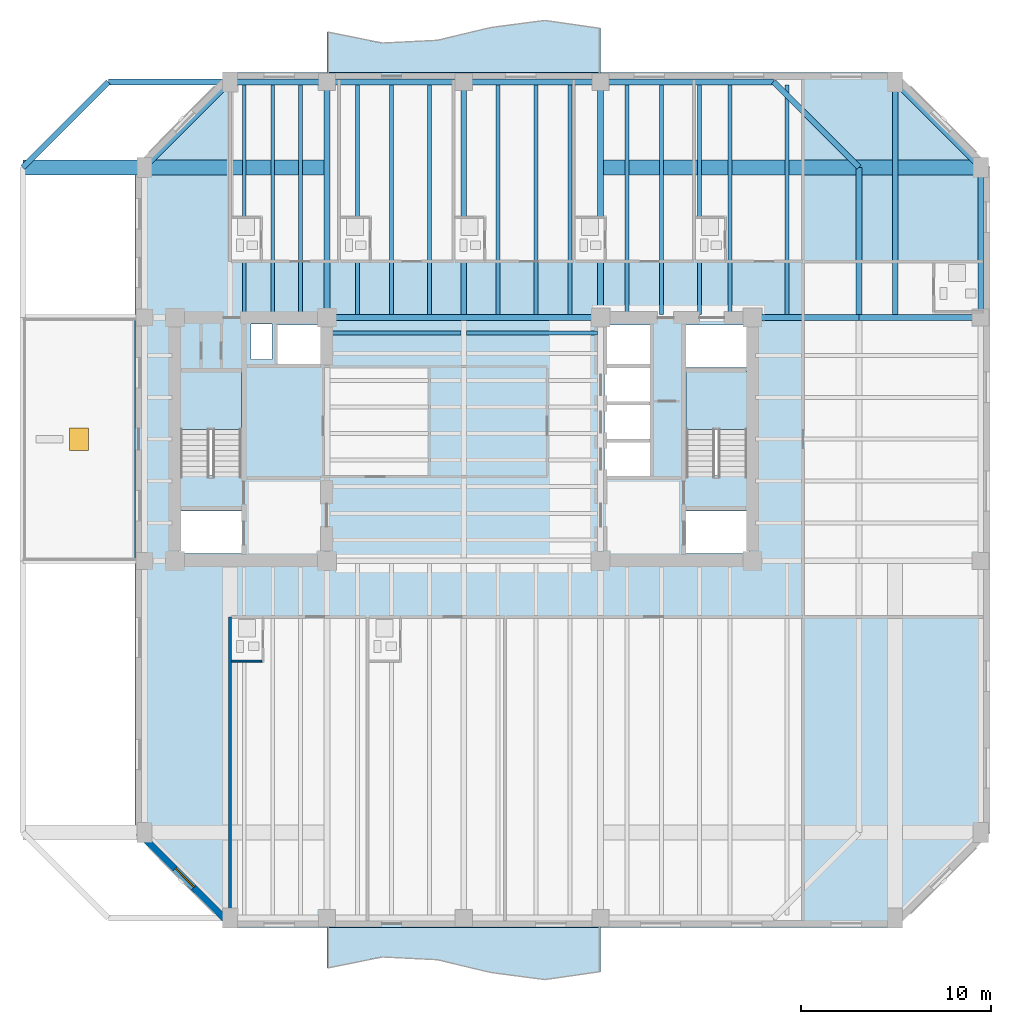
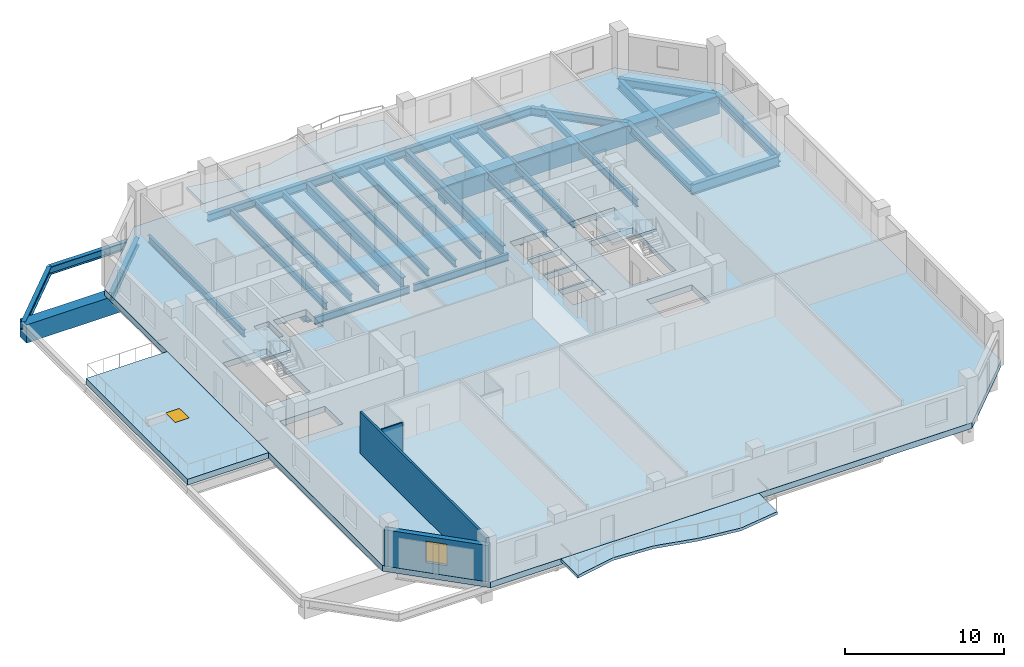
# One storey, part 2 of 11: 35 beams, 6 slabs, 3 walls, 1 door, 1 window, 2 openings, 2 elements without a shape of their own.
"""IFC4 building model written with IfcOpenShell, lengths in metres."""

from ifc_helpers import new_model, si_unit, direction, frame, frame_2d, origin, origin_2d, place, context, subcontext, project, spatial, polyline, rectangle, i_section, outline, extrude, material, layer, layer_set, material_profile, profile_set, type_object, element, fill, aggregate, save


model = new_model("IFC4")

# Units and contexts
model_context = context("Model", 3, precision=1e-05, world=origin(), true_north=direction((0.0, 1.0)))
body_context = subcontext(model_context, "Body", "Model", "MODEL_VIEW")
ifc_project = project(units=[si_unit("LENGTHUNIT", "METRE"), si_unit("AREAUNIT", "SQUARE_METRE"), si_unit("VOLUMEUNIT", "CUBIC_METRE"), si_unit("PLANEANGLEUNIT", "RADIAN"), si_unit("MASSUNIT", "GRAM", prefix="KILO")], contexts=[model_context])

# Site, building, storey
site_placement = place(None, origin())
site = spatial("IfcSite", under=ifc_project, at=site_placement, CompositionType="ELEMENT")
building_placement = place(site_placement, origin())
building = spatial("IfcBuilding", under=site, at=building_placement, Name="Kranthara Brick Stack", CompositionType="ELEMENT")
storey_placement = place(building_placement, frame((0.0, 0.0, 141.300048828125)))
storey = spatial("IfcBuildingStorey", under=building, at=storey_placement, Name="L35", CompositionType="ELEMENT", Elevation=141.300048828125)

# Beams
ifc_material_1 = material(Name="Steel S355", Category="steel")
ifc_material_profile_1 = material_profile(ifc_material_1, i_section(OverallWidth=0.2099609375, OverallDepth=0.550048828125, WebThickness=0.010986328125, FlangeThickness=0.01708984375, at=origin_2d()), Name="IPE 550")
ifc_profile_set_1 = profile_set([ifc_material_profile_1], Name="Steel S355")
beam_type_1 = type_object("IfcBeamType", Name="BM-JST-IPE550", PredefinedType="JOIST", material=ifc_profile_set_1)
for number, where, z_axis, x_axis, name in (
    (1, (20.949951171875, 32.800048828125, -0.72509765625), (1.0, 0.0, 0.0), (0.0, 1.0, 0.0), "L35 Central Floor Joist 070"),
    (2, (28.14990234375, 32.800048828125, -0.72509765625), (1.0, 0.0, 0.0), (0.0, 1.0, 0.0), "L35 Central Floor Joist 071"),
):
    element("IfcBeam", number, at=place(storey_placement, frame(where, z_axis=z_axis, x_axis=x_axis)), inside=storey, type_object=beam_type_1, Name=name, PredefinedType="JOIST", context=body_context, shape_type="SweptSolid", body=[
        extrude(i_section(OverallWidth=0.2099609375, OverallDepth=0.550048828125, WebThickness=0.010986328125, FlangeThickness=0.01708984375, at=origin_2d()), origin(), (0.0, 0.0, 1.0), 6.900146484375),
    ])
for number, where, z_axis, x_axis, name in (
    (3, (16.449951171875, 33.75, -0.72509765625), (0.0, 1.0, 0.0), (-1.0, 0.0, 0.0), "L35 North Wing Floor Joist 073"),
    (4, (17.949951171875, 33.75, -0.72509765625), (0.0, 1.0, 0.0), (-1.0, 0.0, 0.0), "L35 North Wing Floor Joist 075"),
    (5, (19.39990234375, 33.75, -0.72509765625), (0.0, 1.0, 0.0), (-1.0, 0.0, 0.0), "L35 North Wing Floor Joist 077"),
    (6, (22.39990234375, 33.75, -0.72509765625), (0.0, 1.0, 0.0), (-1.0, 0.0, 0.0), "L35 North Wing Floor Joist 079"),
    (7, (24.199951171875, 33.75, -0.72509765625), (0.0, 1.0, 0.0), (-1.0, 0.0, 0.0), "L35 North Wing Floor Joist 081"),
    (8, (26.199951171875, 33.75, -0.72509765625), (0.0, 1.0, 0.0), (-1.0, 0.0, 0.0), "L35 North Wing Floor Joist 083"),
    (9, (29.800048828125, 33.75, -0.72509765625), (0.0, 1.0, 0.0), (-1.0, 0.0, 0.0), "L35 North Wing Floor Joist 085"),
    (10, (31.800048828125, 33.75, -0.72509765625), (0.0, 1.0, 0.0), (-1.0, 0.0, 0.0), "L35 North Wing Floor Joist 087"),
    (11, (33.60009765625, 33.75, -0.72509765625), (0.0, 1.0, 0.0), (-1.0, 0.0, 0.0), "L35 North Wing Floor Joist 089"),
    (12, (36.60009765625, 33.75, -0.72509765625), (0.0, 1.0, 0.0), (-1.0, 0.0, 0.0), "L35 North Wing Floor Joist 091"),
    (13, (38.39990234375, 33.75, -0.72509765625), (0.0, 1.0, 0.0), (-1.0, 0.0, 0.0), "L35 North Wing Floor Joist 093"),
    (14, (40.39990234375, 33.75, -0.72509765625), (0.0, 1.0, 0.0), (-1.0, 0.0, 0.0), "L35 North Wing Floor Joist 095"),
    (15, (42.0, 33.75, -0.72509765625), (0.0, 1.0, 0.0), (-1.0, 0.0, 0.0), "L35 North Wing Floor Joist 097"),
    (16, (45.0, 33.75, -0.72509765625), (0.0, 1.0, 0.0), (-1.0, 0.0, 0.0), "L35 North Wing Floor Joist 099"),
):
    element("IfcBeam", number, at=place(storey_placement, frame(where, z_axis=z_axis, x_axis=x_axis)), inside=storey, type_object=beam_type_1, Name=name, PredefinedType="JOIST", context=body_context, shape_type="SweptSolid", body=[
        extrude(i_section(OverallWidth=0.2099609375, OverallDepth=0.550048828125, WebThickness=0.010986328125, FlangeThickness=0.01708984375, at=origin_2d()), origin(), (0.0, 0.0, 1.0), 12.10009765625),
    ])
ifc_material_2 = material(Name="Steel S355", Category="steel")
ifc_material_profile_2 = material_profile(ifc_material_2, i_section(OverallWidth=0.300048828125, OverallDepth=0.60009765625, WebThickness=0.015380859375, FlangeThickness=0.030029296875, at=origin_2d()), Name="HEB 600")
ifc_profile_set_2 = profile_set([ifc_material_profile_2], Name="Steel S355")
beam_type_2 = type_object("IfcBeamType", Name="BM-STL-HEB600", PredefinedType="BEAM", material=ifc_profile_set_2)
beam_1_placement = place(storey_placement, frame((9.300048828125, 46.0, -0.75), z_axis=(1.0, 0.0, 0.0), x_axis=(0.0, 1.0, 0.0)))
element("IfcBeam", 17, at=beam_1_placement, inside=storey, type_object=beam_type_2, Name="L35 Perimeter Spandrel Beam 009", PredefinedType="BEAM", context=body_context, shape_type="SweptSolid", body=[
    extrude(i_section(OverallWidth=0.300048828125, OverallDepth=0.60009765625, WebThickness=0.015380859375, FlangeThickness=0.030029296875, at=origin_2d()), origin(), (0.0, 0.0, 1.0), 11.5),
])
for number, where, z_axis, x_axis, name in (
    (18, (20.800048828125, 46.0, -0.75), (1.0, 0.0, 0.0), (0.0, 1.0, 0.0), "L35 Perimeter Spandrel Beam 010"),
    (19, (28.0, 46.0, -0.75), (1.0, 0.0, 0.0), (0.0, 1.0, 0.0), "L35 Perimeter Spandrel Beam 011"),
):
    element("IfcBeam", number, at=place(storey_placement, frame(where, z_axis=z_axis, x_axis=x_axis)), inside=storey, type_object=beam_type_2, Name=name, PredefinedType="BEAM", context=body_context, shape_type="SweptSolid", body=[
        extrude(i_section(OverallWidth=0.300048828125, OverallDepth=0.60009765625, WebThickness=0.015380859375, FlangeThickness=0.030029296875, at=origin_2d()), origin(), (0.0, 0.0, 1.0), 7.199951171875),
    ])
beam_2_placement = place(storey_placement, frame((35.199951171875, 46.0, -0.75), z_axis=(1.0, 0.0, 0.0), x_axis=(0.0, 1.0, 0.0)))
element("IfcBeam", 20, at=beam_2_placement, inside=storey, type_object=beam_type_2, Name="L35 Perimeter Spandrel Beam 012", PredefinedType="BEAM", context=body_context, shape_type="SweptSolid", body=[
    extrude(i_section(OverallWidth=0.300048828125, OverallDepth=0.60009765625, WebThickness=0.015380859375, FlangeThickness=0.030029296875, at=origin_2d()), origin(), (0.0, 0.0, 1.0), 9.10009765625),
])
beam_3_placement = place(storey_placement, frame((48.800048828125, 33.60009765625, -0.75), z_axis=(0.0, 1.0, 0.0), x_axis=(-1.0, 0.0, 0.0)))
element("IfcBeam", 21, at=beam_3_placement, inside=storey, type_object=beam_type_2, Name="L35 Perimeter Spandrel Beam 018", PredefinedType="BEAM", context=body_context, shape_type="SweptSolid", body=[
    extrude(i_section(OverallWidth=0.300048828125, OverallDepth=0.60009765625, WebThickness=0.015380859375, FlangeThickness=0.030029296875, at=origin_2d()), origin(), (0.0, 0.0, 1.0), 7.89990234375),
])
for number, where, z_axis, x_axis, name in (
    (22, (9.300048828125, 46.0, -0.75), (-0.707106781187, -0.707106781187, 0.0), (0.707106781187, -0.707106781187, 0.0), "L35 Chamfer Corner Spandrel 021"),
    (23, (44.300048828125, 46.0, -0.75), (0.707106781187, -0.707106781187, 0.0), (0.707106781187, 0.707106781187, 0.0), "L35 Chamfer Corner Spandrel 022"),
):
    element("IfcBeam", number, at=place(storey_placement, frame(where, z_axis=z_axis, x_axis=x_axis)), inside=storey, type_object=beam_type_2, Name=name, PredefinedType="BEAM", context=body_context, shape_type="SweptSolid", body=[
        extrude(i_section(OverallWidth=0.300048828125, OverallDepth=0.60009765625, WebThickness=0.015380859375, FlangeThickness=0.030029296875, at=origin_2d()), origin(), (0.0, 0.0, 1.0), 6.364013671875),
    ])
beam_4_placement = place(storey_placement, frame((55.199951171875, 33.60009765625, -0.75), z_axis=(0.0, 1.0, 0.0), x_axis=(-1.0, 0.0, 0.0)))
element("IfcBeam", 24, at=beam_4_placement, inside=storey, type_object=beam_type_2, Name="L35 Perimeter Spandrel Beam 028", PredefinedType="BEAM", context=body_context, shape_type="SweptSolid", body=[
    extrude(i_section(OverallWidth=0.300048828125, OverallDepth=0.60009765625, WebThickness=0.015380859375, FlangeThickness=0.030029296875, at=origin_2d()), origin(), (0.0, 0.0, 1.0), 7.89990234375),
])
for number, where, z_axis, x_axis, name in (
    (25, (15.699951171875, 46.0, -0.75), (-0.707106781187, -0.707106781187, 0.0), (0.707106781187, -0.707106781187, 0.0), "L35 Chamfer Corner Spandrel 031"),
    (26, (50.699951171875, 46.0, -0.75), (0.707106781187, -0.707106781187, 0.0), (0.707106781187, 0.707106781187, 0.0), "L35 Chamfer Corner Spandrel 032"),
):
    element("IfcBeam", number, at=place(storey_placement, frame(where, z_axis=z_axis, x_axis=x_axis)), inside=storey, type_object=beam_type_2, Name=name, PredefinedType="BEAM", context=body_context, shape_type="SweptSolid", body=[
        extrude(i_section(OverallWidth=0.300048828125, OverallDepth=0.60009765625, WebThickness=0.015380859375, FlangeThickness=0.030029296875, at=origin_2d()), origin(), (0.0, 0.0, 1.0), 6.364013671875),
    ])
ifc_material_3 = material(Name="Steel S355", Category="steel")
ifc_material_profile_3 = material_profile(ifc_material_3, i_section(OverallWidth=0.300048828125, OverallDepth=0.800048828125, WebThickness=0.017578125, FlangeThickness=0.032958984375, at=origin_2d()), Name="HEB 800")
ifc_profile_set_3 = profile_set([ifc_material_profile_3], Name="Steel S355")
beam_type_3 = type_object("IfcBeamType", Name="BM-TR-HEB800", PredefinedType="BEAM", material=ifc_profile_set_3)
beam_5_placement = place(storey_placement, frame((20.800048828125, 33.60009765625, -0.85009765625), z_axis=(1.0, 0.0, 0.0), x_axis=(0.0, 1.0, 0.0)))
element("IfcBeam", 27, at=beam_5_placement, inside=storey, type_object=beam_type_3, Name="L35 Core Coupling Beam 002", PredefinedType="BEAM", context=body_context, shape_type="SweptSolid", body=[
    extrude(i_section(OverallWidth=0.300048828125, OverallDepth=0.800048828125, WebThickness=0.017578125, FlangeThickness=0.032958984375, at=origin_2d()), origin(), (0.0, 0.0, 1.0), 14.39990234375),
])
beam_6_placement = place(storey_placement, frame((20.800048828125, 33.60009765625, -0.85009765625), z_axis=(0.0, 1.0, 0.0), x_axis=(-1.0, 0.0, 0.0)))
element("IfcBeam", 28, at=beam_6_placement, inside=storey, type_object=beam_type_3, Name="L35 Primary Grid Girder 034", PredefinedType="BEAM", context=body_context, shape_type="SweptSolid", body=[
    extrude(i_section(OverallWidth=0.300048828125, OverallDepth=0.800048828125, WebThickness=0.017578125, FlangeThickness=0.032958984375, at=origin_2d()), origin(), (0.0, 0.0, 1.0), 12.39990234375),
])
beam_7_placement = place(storey_placement, frame((28.0, 33.75, -0.85009765625), z_axis=(0.0, 1.0, 0.0), x_axis=(-1.0, 0.0, 0.0)))
element("IfcBeam", 29, at=beam_7_placement, inside=storey, type_object=beam_type_3, Name="L35 Primary Grid Girder 037", PredefinedType="BEAM", context=body_context, shape_type="SweptSolid", body=[
    extrude(i_section(OverallWidth=0.300048828125, OverallDepth=0.800048828125, WebThickness=0.017578125, FlangeThickness=0.032958984375, at=origin_2d()), origin(), (0.0, 0.0, 1.0), 12.25),
])
beam_8_placement = place(storey_placement, frame((35.199951171875, 33.60009765625, -0.85009765625), z_axis=(0.0, 1.0, 0.0), x_axis=(-1.0, 0.0, 0.0)))
element("IfcBeam", 30, at=beam_8_placement, inside=storey, type_object=beam_type_3, Name="L35 Primary Grid Girder 039", PredefinedType="BEAM", context=body_context, shape_type="SweptSolid", body=[
    extrude(i_section(OverallWidth=0.300048828125, OverallDepth=0.800048828125, WebThickness=0.017578125, FlangeThickness=0.032958984375, at=origin_2d()), origin(), (0.0, 0.0, 1.0), 12.39990234375),
])
beam_9_placement = place(storey_placement, frame((43.199951171875, 33.60009765625, -0.85009765625), z_axis=(1.0, 0.0, 0.0), x_axis=(0.0, 1.0, 0.0)))
element("IfcBeam", 31, at=beam_9_placement, inside=storey, type_object=beam_type_3, Name="L35 Primary Grid Girder 044", PredefinedType="BEAM", context=body_context, shape_type="SweptSolid", body=[
    extrude(i_section(OverallWidth=0.300048828125, OverallDepth=0.800048828125, WebThickness=0.017578125, FlangeThickness=0.032958984375, at=origin_2d()), origin(), (0.0, 0.0, 1.0), 5.60009765625),
])
beam_10_placement = place(storey_placement, frame((48.800048828125, 33.60009765625, -0.85009765625), z_axis=(1.0, 0.0, 0.0), x_axis=(0.0, 1.0, 0.0)))
element("IfcBeam", 32, at=beam_10_placement, inside=storey, type_object=beam_type_3, Name="L35 Primary Grid Girder 045", PredefinedType="BEAM", context=body_context, shape_type="SweptSolid", body=[
    extrude(i_section(OverallWidth=0.300048828125, OverallDepth=0.800048828125, WebThickness=0.017578125, FlangeThickness=0.032958984375, at=origin_2d()), origin(), (0.0, 0.0, 1.0), 6.39990234375),
])
beam_11_placement = place(storey_placement, frame((50.699951171875, 46.0, -0.85009765625), z_axis=(0.0, -1.0, 0.0), x_axis=(1.0, 0.0, 0.0)))
element("IfcBeam", 33, at=beam_11_placement, inside=storey, type_object=beam_type_3, Name="L35 Transfer Tie Girder 049", PredefinedType="BEAM", context=body_context, shape_type="SweptSolid", body=[
    extrude(i_section(OverallWidth=0.300048828125, OverallDepth=0.800048828125, WebThickness=0.017578125, FlangeThickness=0.032958984375, at=origin_2d()), origin(), (0.0, 0.0, 1.0), 12.39990234375),
])
ifc_material_4 = material(Name="Post-tensioned concrete C50/60", Category="concrete")
ifc_material_profile_4 = material_profile(ifc_material_4, rectangle(XDim=0.800048828125, YDim=1.39990234375, at=origin_2d()), Name="PT 800x1400")
ifc_profile_set_4 = profile_set([ifc_material_profile_4], Name="Post-tensioned concrete C50/60")
beam_type_4 = type_object("IfcBeamType", Name="BM-TR-PT1400", PredefinedType="T_BEAM", material=ifc_profile_set_4)
beam_12_placement = place(storey_placement, frame((4.800048828125, 41.5, -1.150146484375), z_axis=(1.0, 0.0, 0.0), x_axis=(0.0, 1.0, 0.0)))
element("IfcBeam", 34, at=beam_12_placement, inside=storey, type_object=beam_type_4, Name="L35 Transfer Tie Girder 052", PredefinedType="T_BEAM", context=body_context, shape_type="SweptSolid", body=[
    extrude(rectangle(XDim=0.800048828125, YDim=1.39990234375, at=origin_2d()), origin(), (0.0, 0.0, 1.0), 16.0),
])
beam_13_placement = place(storey_placement, frame((55.199951171875, 41.5, -1.150146484375), z_axis=(-1.0, 0.0, 0.0), x_axis=(0.0, -1.0, 0.0)))
element("IfcBeam", 35, at=beam_13_placement, inside=storey, type_object=beam_type_4, Name="L35 Transfer Tie Girder 053", PredefinedType="T_BEAM", context=body_context, shape_type="SweptSolid", body=[
    extrude(rectangle(XDim=0.800048828125, YDim=1.39990234375, at=origin_2d()), origin(), (0.0, 0.0, 1.0), 20.0),
])

# Slabs
ifc_material_5 = material(Name="Concrete C45/55", Category="concrete")
ifc_layer_1 = layer(ifc_material_5, 0.219970703125)
ifc_layer_set_1 = layer_set([ifc_layer_1], Name="Concrete C45/55")
slab_type_1 = type_object("IfcSlabType", Name="SLB-BALC-220", PredefinedType="FLOOR", material=ifc_layer_set_1)
slab_1_placement = place(storey_placement, frame((0.0, 0.0, -0.219970703125)))
element("IfcSlab", 36, at=slab_1_placement, inside=storey, type_object=slab_type_1, Name="L35 South Rippling Balcony Slab", PredefinedType="FLOOR", context=body_context, shape_type="SweptSolid", body=[
    extrude(outline(polyline([(20.800048828125, 1.5), (35.199951171875, 1.5), (35.199951171875, -0.827880859375), (32.320068359375, -1.249267578125), (29.43994140625, -0.885498046875), (26.56005859375, -0.194091796875), (23.679931640625, -0.044677734375), (20.800048828125, -0.625), (20.800048828125, 1.5)])), origin(), (0.0, 0.0, 1.0), 0.219970703125),
])
slab_2_placement = place(storey_placement, frame((0.0, 0.0, -0.219970703125)))
element("IfcSlab", 37, at=slab_2_placement, inside=storey, type_object=slab_type_1, Name="L35 North Rippling Balcony Slab", PredefinedType="FLOOR", context=body_context, shape_type="SweptSolid", body=[
    extrude(outline(polyline([(35.199951171875, 46.5), (20.800048828125, 46.5), (20.800048828125, 48.625), (23.679931640625, 48.044677734375), (26.56005859375, 48.194091796875), (29.43994140625, 48.885498046875), (32.320068359375, 49.249267578125), (35.199951171875, 48.827880859375), (35.199951171875, 46.5)])), origin(), (0.0, 0.0, 1.0), 0.219970703125),
])

# Stair, slab
ifc_material_6 = material(Name="Concrete C45/55", Category="concrete")
stair_type = type_object("IfcStairType", Name="ST-CORE-20R", PredefinedType="HALF_TURN_STAIR", material=ifc_material_6)
stair_1_placement = place(storey_placement, origin())
stair_1 = element("IfcStair", 38, at=stair_1_placement, inside=storey, type_object=stair_type, Name="L35 West Core Protected Exit Stair ST01", PredefinedType="HALF_TURN_STAIR")
ifc_material_7 = material(Name="Concrete C45/55", Category="concrete")
ifc_layer_2 = layer(ifc_material_7, 0.199951171875)
ifc_layer_set_2 = layer_set([ifc_layer_2], Name="Concrete C45/55")
slab_type_2 = type_object("IfcSlabType", Name="SLB-LANDING-200", PredefinedType="LANDING", material=ifc_layer_set_2)
slab_3_placement = place(storey_placement, frame((0.0, 0.0, 1.550048828125)))
slab_3 = element("IfcSlab", 39, at=slab_3_placement, type_object=slab_type_2, Name="ST01 landing 1", PredefinedType="LANDING", context=body_context, shape_type="SweptSolid", body=[
    extrude(outline(polyline([(16.300048828125, 27.719970703125), (16.300048828125, 30.75), (13.10009765625, 30.75), (13.10009765625, 27.719970703125), (16.300048828125, 27.719970703125)])), origin(), (0.0, 0.0, 1.0), 0.199951171875),
])
aggregate(stair_1, [slab_3])

stair_2_placement = place(storey_placement, origin())
stair_2 = element("IfcStair", 40, at=stair_2_placement, inside=storey, type_object=stair_type, Name="L35 East Core Protected Exit Stair ST02", PredefinedType="HALF_TURN_STAIR")
slab_4_placement = place(storey_placement, frame((0.0, 0.0, 1.550048828125)))
slab_4 = element("IfcSlab", 41, at=slab_4_placement, type_object=slab_type_2, Name="ST02 landing 1", PredefinedType="LANDING", context=body_context, shape_type="SweptSolid", body=[
    extrude(outline(polyline([(42.89990234375, 27.719970703125), (42.89990234375, 30.75), (39.699951171875, 30.75), (39.699951171875, 27.719970703125), (42.89990234375, 27.719970703125)])), origin(), (0.0, 0.0, 1.0), 0.199951171875),
])
aggregate(stair_2, [slab_4])

# Slab, opening, door
ifc_material_8 = material(Name="Concrete C45/55", Category="concrete")
ifc_layer_3 = layer(ifc_material_8, 0.449951171875)
ifc_layer_set_3 = layer_set([ifc_layer_3], Name="Concrete C45/55")
slab_type_3 = type_object("IfcSlabType", Name="SLB-TERR-450", PredefinedType="ROOF", material=ifc_layer_set_3)
slab_5_placement = place(storey_placement, frame((0.0, 0.0, -0.449951171875)))
slab_5 = element("IfcSlab", 42, at=slab_5_placement, inside=storey, type_object=slab_type_3, Name="L35 West Planted Sky Garden", PredefinedType="ROOF", context=body_context, shape_type="SweptSolid", body=[
    extrude(outline(polyline([(4.800048828125, 20.800048828125), (10.699951171875, 20.800048828125), (10.699951171875, 33.60009765625), (4.800048828125, 33.60009765625), (4.800048828125, 20.800048828125)]), holes=[polyline([(7.25, 26.60009765625), (8.25, 26.60009765625), (8.25, 27.800048828125), (7.25, 27.800048828125), (7.25, 26.60009765625)])]), origin(), (0.0, 0.0, 1.0), 0.449951171875),
])
opening_1_placement = place(slab_5_placement, frame((7.75, 27.199951171875, 0.0)))
opening_1 = element("IfcOpeningElement", 43, at=opening_1_placement, cuts=slab_5, Name="Opening RH01", PredefinedType="OPENING", context=body_context, shape_type="SweptSolid", body=[
    extrude(rectangle(XDim=1.0, YDim=1.199951171875, at=origin_2d()), origin(), (0.0, 0.0, 1.0), 0.449951171875),
])
ifc_material_9 = material(Name="Powder-coated galvanized steel sheet", Category="steel")
door_type = type_object("IfcDoorType", Name="DR-HATCH-1000", OperationType="SINGLE_SWING_LEFT", PredefinedType="TRAPDOOR", material=ifc_material_9)
door_placement = place(opening_1_placement, frame((0.0, 0.0, 0.39990234375)))
door = element("IfcDoor", 44, at=door_placement, inside=storey, type_object=door_type, Name="L35 Terrace Roof Maintenance Access Hatch", OperationType="SINGLE_SWING_LEFT", OverallHeight=1.199951171875, OverallWidth=1.0, PredefinedType="TRAPDOOR", context=body_context, shape_type="SweptSolid", body=[
    extrude(rectangle(XDim=1.0, YDim=1.199951171875, at=origin_2d()), origin(), (0.0, 0.0, 1.0), 0.050048828125),
])
fill(opening_1, door)

# Slab
ifc_material_10 = material(Name="Post-tensioned concrete C50/60", Category="concrete")
ifc_layer_4 = layer(ifc_material_10, 0.449951171875)
ifc_layer_set_4 = layer_set([ifc_layer_4], Name="Post-tensioned concrete C50/60")
slab_type_4 = type_object("IfcSlabType", Name="SLB-TRANS-450", PredefinedType="FLOOR", material=ifc_layer_set_4)
slab_6_placement = place(storey_placement, frame((0.0, 0.0, -0.449951171875)))
element("IfcSlab", 45, at=slab_6_placement, inside=storey, type_object=slab_type_4, Name="L35 Structural Floor Plate", PredefinedType="FLOOR", context=body_context, shape_type="SweptSolid", body=[
    extrude(outline(polyline([(15.699951171875, 1.5), (50.699951171875, 1.5), (55.699951171875, 6.5), (55.699951171875, 41.5), (50.699951171875, 46.5), (15.699951171875, 46.5), (10.699951171875, 41.5), (10.699951171875, 6.5), (15.699951171875, 1.5)]), holes=[polyline([(13.10009765625, 25.280029296875), (16.300048828125, 25.280029296875), (16.300048828125, 30.75), (13.10009765625, 30.75), (13.10009765625, 25.280029296875)]), polyline([(39.699951171875, 25.280029296875), (42.89990234375, 25.280029296875), (42.89990234375, 30.75), (39.699951171875, 30.75), (39.699951171875, 25.280029296875)]), polyline([(13.0, 21.179931640625), (16.320068359375, 21.179931640625), (16.320068359375, 23.419921875), (13.0, 23.419921875), (13.0, 21.179931640625)]), polyline([(39.679931640625, 21.179931640625), (43.0, 21.179931640625), (43.0, 23.419921875), (39.679931640625, 23.419921875), (39.679931640625, 21.179931640625)]), polyline([(39.679931640625, 30.97998046875), (43.0, 30.97998046875), (43.0, 33.219970703125), (39.679931640625, 33.219970703125), (39.679931640625, 30.97998046875)]), polyline([(35.39990234375, 25.25), (37.800048828125, 25.25), (37.800048828125, 27.050048828125), (35.39990234375, 27.050048828125), (35.39990234375, 25.25)]), polyline([(35.39990234375, 27.199951171875), (37.800048828125, 27.199951171875), (37.800048828125, 29.0), (35.39990234375, 29.0), (35.39990234375, 27.199951171875)]), polyline([(35.39990234375, 29.14990234375), (37.800048828125, 29.14990234375), (37.800048828125, 30.949951171875), (35.39990234375, 30.949951171875), (35.39990234375, 29.14990234375)]), polyline([(18.199951171875, 31.14990234375), (20.60009765625, 31.14990234375), (20.60009765625, 33.219970703125), (18.199951171875, 33.219970703125), (18.199951171875, 31.14990234375)]), polyline([(35.39990234375, 31.14990234375), (37.800048828125, 31.14990234375), (37.800048828125, 33.219970703125), (35.39990234375, 33.219970703125), (35.39990234375, 31.14990234375)]), polyline([(16.800048828125, 31.39990234375), (17.89990234375, 31.39990234375), (17.89990234375, 33.25), (16.800048828125, 33.25), (16.800048828125, 31.39990234375)])]), origin(), (0.0, 0.0, 1.0), 0.449951171875),
])

# Wall, opening, window
ifc_material_11 = material(Name="Kiln-fired clay brick masonry M15", Category="masonry")
ifc_layer_5 = layer(ifc_material_11, 0.35009765625)
ifc_layer_set_5 = layer_set([ifc_layer_5], Name="Kiln-fired clay brick masonry M15")
wall_type_1 = type_object("IfcWallType", Name="WL-BRK-SPND-350", PredefinedType="STANDARD", material=ifc_layer_set_5)
wall_1_placement = place(storey_placement, frame((15.699951171875, 1.695068359375, 0.0), z_axis=(0.0, 0.0, 1.0), x_axis=(-0.707106781187, 0.707106781187, 0.0)))
wall_1 = element("IfcWall", 46, at=wall_1_placement, inside=storey, type_object=wall_type_1, Name="L35 Exterior Brick Facade Wall SW 1", PredefinedType="STANDARD", context=body_context, shape_type="SweptSolid", body=[
    extrude(rectangle(XDim=6.795166015625, YDim=0.35009765625, at=frame_2d((3.3974609375, 0.0))), origin(), (0.0, 0.0, 1.0), 2.784912109375),
])
opening_2_placement = place(wall_1_placement, frame((2.697998046875, 0.0, 0.75)))
opening_2 = element("IfcOpeningElement", 47, at=opening_2_placement, cuts=wall_1, Name="Opening WN10", PredefinedType="OPENING", context=body_context, shape_type="SweptSolid", body=[
    extrude(rectangle(XDim=1.39990234375, YDim=1.64990234375, at=frame_2d((0.699951171875, 0.824951171875))), frame((0.0, 0.18505859375, 0.0), z_axis=(0.0, -1.0, 0.0), x_axis=(1.0, 0.0, 0.0)), (0.0, 0.0, 1.0), 0.3701171875),
])
ifc_material_12 = material(Name="Double-glazed low-E solar control glass", Category="glass")
window_type = type_object("IfcWindowType", Name="WN-CHM-1400x1750", PartitioningType="SINGLE_PANEL", PredefinedType="WINDOW", material=ifc_material_12)
window_placement = place(opening_2_placement, origin())
window = element("IfcWindow", 48, at=window_placement, inside=storey, type_object=window_type, Name="L35 SW Chamfer Corner Window", OverallHeight=1.64990234375, OverallWidth=1.39990234375, PartitioningType="SINGLE_PANEL", PredefinedType="WINDOW", context=body_context, shape_type="SweptSolid", body=[
    extrude(rectangle(XDim=1.39990234375, YDim=1.64990234375, at=frame_2d((0.699951171875, 0.824951171875))), frame((0.0, -0.010009765625, 0.0), z_axis=(0.0, -1.0, 0.0), x_axis=(1.0, 0.0, 0.0)), (0.0, 0.0, 1.0), 0.06005859375),
])
fill(opening_2, window)

# Walls
ifc_material_13 = material(Name="Moisture-resistant wet-room partition", Category="other")
ifc_layer_6 = layer(ifc_material_13, 0.10009765625)
ifc_layer_set_6 = layer_set([ifc_layer_6], Name="Moisture-resistant wet-room partition")
wall_type_2 = type_object("IfcWallType", Name="WL-PART-100", PredefinedType="PARTITIONING", material=ifc_layer_set_6)
wall_2_placement = place(storey_placement, frame((15.780029296875, 15.52001953125, 0.0), z_axis=(0.0, 0.0, 1.0), x_axis=(1.0, 0.0, 0.0)))
element("IfcWall", 49, at=wall_2_placement, inside=storey, type_object=wall_type_2, Name="L35 Interior Partition 014", PredefinedType="PARTITIONING", context=body_context, shape_type="SweptSolid", body=[
    extrude(rectangle(XDim=1.6015625, YDim=0.10009765625, at=frame_2d((0.80078125, 0.0))), origin(), (0.0, 0.0, 1.0), 3.199951171875),
])
ifc_material_14 = material(Name="Fire-rated gypsum board partition", Category="other")
ifc_layer_7 = layer(ifc_material_14, 0.14990234375)
ifc_layer_set_7 = layer_set([ifc_layer_7], Name="Fire-rated gypsum board partition")
wall_type_3 = type_object("IfcWallType", Name="WL-PART-150", PredefinedType="PARTITIONING", material=ifc_layer_set_7)
wall_3_placement = place(storey_placement, frame((15.699951171875, 1.875, 0.0), z_axis=(0.0, 0.0, 1.0), x_axis=(0.0, 1.0, 0.0)))
element("IfcWall", 50, at=wall_3_placement, inside=storey, type_object=wall_type_3, Name="L35 Interior Partition 009", PredefinedType="PARTITIONING", context=body_context, shape_type="SweptSolid", body=[
    extrude(rectangle(XDim=15.97509765625, YDim=0.14990234375, at=frame_2d((7.987548828125, 0.0))), origin(), (0.0, 0.0, 1.0), 3.199951171875),
])

save(model, "model.ifc")
